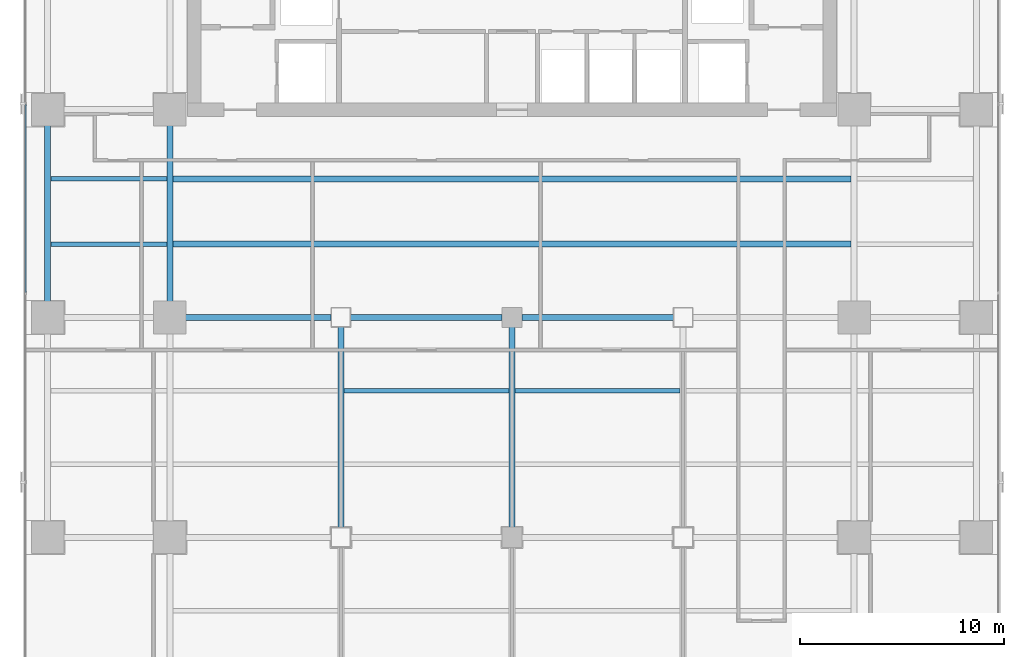
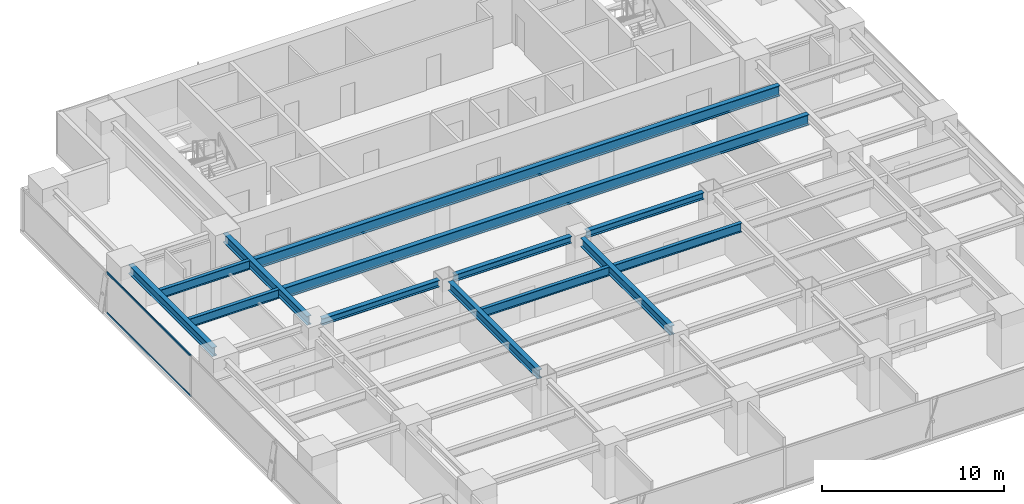
# One storey, part 8 of 28: 13 beams, 2 members, 1 element without a shape of its own.
"""IFC4 building model written with IfcOpenShell, lengths in metres."""

from ifc_helpers import new_model, si_unit, direction, frame, origin, origin_2d, place, context, subcontext, project, spatial, hollow_rectangle, i_section, extrude, source, transform, mapped, material, layer, layer_set, material_profile, profile_set, type_object, element, aggregate, save


model = new_model("IFC4")

# Units and contexts
model_context = context("Model", 3, precision=1e-05, world=origin(), true_north=direction((0.0, 1.0)))
body_context = subcontext(model_context, "Body", "Model", "MODEL_VIEW")
ifc_project = project(units=[si_unit("LENGTHUNIT", "METRE"), si_unit("AREAUNIT", "SQUARE_METRE"), si_unit("VOLUMEUNIT", "CUBIC_METRE"), si_unit("PLANEANGLEUNIT", "RADIAN"), si_unit("MASSUNIT", "GRAM", prefix="KILO")], contexts=[model_context])

# Site, building, storey
site_placement = place(None, origin())
site = spatial("IfcSite", under=ifc_project, at=site_placement, CompositionType="ELEMENT")
building_placement = place(site_placement, origin())
building = spatial("IfcBuilding", under=site, at=building_placement, Name="Sumidabori Civic Tower", CompositionType="ELEMENT")
storey_placement = place(building_placement, frame((0.0, 0.0, 153.199951171875)))
storey = spatial("IfcBuildingStorey", under=building, at=storey_placement, Name="L39", CompositionType="ELEMENT", Elevation=153.199951171875)

# Beams
ifc_material_1 = material(Name="Steel SN490", Category="steel")
ifc_material_profile_1 = material_profile(ifc_material_1, i_section(OverallWidth=0.300048828125, OverallDepth=0.60009765625, WebThickness=0.015380859375, FlangeThickness=0.030029296875, at=origin_2d()), Name="HE 600 B")
ifc_profile_set_1 = profile_set([ifc_material_profile_1], Name="Steel SN490")
beam_type_1 = type_object("IfcBeamType", Name="BM-GIRD-600", PredefinedType="BEAM", material=ifc_profile_set_1)
shared_shape_1 = source(origin(), body_context, "Body", "SweptSolid", [
    extrude(i_section(OverallWidth=0.300048828125, OverallDepth=0.60009765625, WebThickness=0.015380859375, FlangeThickness=0.030029296875, at=origin_2d()), origin(), (0.0, 0.0, 1.0), 9.840087890625),
])
for number, where, z_axis, x_axis, name in (
    (1, (-8.39990234375, -10.320068359375, 3.080078125), (0.0, 1.0, 0.0), (-1.0, 0.0, 0.0), "Primary Girder L39 GY-27"),
    (2, (0.0, -10.320068359375, 3.080078125), (0.0, 1.0, 0.0), (-1.0, 0.0, 0.0), "Primary Girder L39 GY-29"),
):
    element("IfcBeam", number, at=place(storey_placement, frame(where, z_axis=z_axis, x_axis=x_axis)), inside=storey, type_object=beam_type_1, Name=name, PredefinedType="BEAM", context=body_context, shape_type="MappedRepresentation", body=[
        mapped(shared_shape_1, transform((0.0, 0.0, 0.0), x_axis=(1.0, 0.0, 0.0), y_axis=(0.0, 1.0, 0.0), z_axis=(0.0, 0.0, 1.0), scale=1.0)),
    ])
shared_shape_2 = source(origin(), body_context, "Body", "SweptSolid", [
    extrude(i_section(OverallWidth=0.300048828125, OverallDepth=0.60009765625, WebThickness=0.015380859375, FlangeThickness=0.030029296875, at=origin_2d()), origin(), (0.0, 0.0, 1.0), 9.239990234375),
])
for number, where, z_axis, x_axis, name in (
    (3, (-22.800048828125, 0.47998046875, 3.080078125), (0.0, 1.0, 0.0), (-1.0, 0.0, 0.0), "Primary Girder L39 GY-20"),
    (4, (-16.800048828125, 0.47998046875, 3.080078125), (0.0, 1.0, 0.0), (-1.0, 0.0, 0.0), "Primary Girder L39 GY-24"),
):
    element("IfcBeam", number, at=place(storey_placement, frame(where, z_axis=z_axis, x_axis=x_axis)), inside=storey, type_object=beam_type_1, Name=name, PredefinedType="BEAM", context=body_context, shape_type="MappedRepresentation", body=[
        mapped(shared_shape_2, transform((0.0, 0.0, 0.0), x_axis=(1.0, 0.0, 0.0), y_axis=(0.0, 1.0, 0.0), z_axis=(0.0, 0.0, 1.0), scale=1.0)),
    ])
ifc_material_profile_2 = material_profile(ifc_material_1, i_section(OverallWidth=0.300048828125, OverallDepth=0.699951171875, WebThickness=0.01708984375, FlangeThickness=0.031982421875, at=origin_2d()), Name="HE 700 B")
ifc_profile_set_2 = profile_set([ifc_material_profile_2], Name="Steel SN490")
beam_type_2 = type_object("IfcBeamType", Name="BM-GIRD-700", PredefinedType="BEAM", material=ifc_profile_set_2)
shared_shape_3 = source(origin(), body_context, "Body", "SweptSolid", [
    extrude(i_section(OverallWidth=0.300048828125, OverallDepth=0.699951171875, WebThickness=0.01708984375, FlangeThickness=0.031982421875, at=origin_2d()), origin(), (0.0, 0.0, 1.0), 33.2998046875),
])
for number, where, z_axis, x_axis, name in (
    (5, (-16.64990234375, 3.60009765625, 3.030029296875), (1.0, 0.0, 0.0), (0.0, 1.0, 0.0), "North Bay Floor Beam L39 JSTN-47"),
    (6, (-16.64990234375, 6.800048828125, 3.030029296875), (1.0, 0.0, 0.0), (0.0, 1.0, 0.0), "North Bay Floor Beam L39 JSTN-48"),
):
    element("IfcBeam", number, at=place(storey_placement, frame(where, z_axis=z_axis, x_axis=x_axis)), inside=storey, type_object=beam_type_2, Name=name, PredefinedType="BEAM", context=body_context, shape_type="MappedRepresentation", body=[
        mapped(shared_shape_3, transform((0.0, 0.0, 0.0), x_axis=(1.0, 0.0, 0.0), y_axis=(0.0, 1.0, 0.0), z_axis=(0.0, 0.0, 1.0), scale=1.0)),
    ])
ifc_material_profile_3 = material_profile(ifc_material_1, i_section(OverallWidth=0.219970703125, OverallDepth=0.60009765625, WebThickness=0.011962890625, FlangeThickness=0.01904296875, at=origin_2d()), Name="IPE 600")
ifc_profile_set_3 = profile_set([ifc_material_profile_3], Name="Steel SN490")
beam_type_3 = type_object("IfcBeamType", Name="BM-JST-600", PredefinedType="JOIST", material=ifc_profile_set_3)
shared_shape_4 = source(origin(), body_context, "Body", "SweptSolid", [
    extrude(i_section(OverallWidth=0.219970703125, OverallDepth=0.60009765625, WebThickness=0.011962890625, FlangeThickness=0.01904296875, at=origin_2d()), origin(), (0.0, 0.0, 1.0), 5.699951171875),
])
for number, where, z_axis, x_axis, name in (
    (7, (-22.64990234375, 3.60009765625, 3.080078125), (1.0, 0.0, 0.0), (0.0, 1.0, 0.0), "Outer Bay Floor Joist L39 JSTO-43"),
    (8, (-22.64990234375, 6.800048828125, 3.080078125), (1.0, 0.0, 0.0), (0.0, 1.0, 0.0), "Outer Bay Floor Joist L39 JSTO-45"),
):
    element("IfcBeam", number, at=place(storey_placement, frame(where, z_axis=z_axis, x_axis=x_axis)), inside=storey, type_object=beam_type_3, Name=name, PredefinedType="JOIST", context=body_context, shape_type="MappedRepresentation", body=[
        mapped(shared_shape_4, transform((0.0, 0.0, 0.0), x_axis=(1.0, 0.0, 0.0), y_axis=(0.0, 1.0, 0.0), z_axis=(0.0, 0.0, 1.0), scale=1.0)),
    ])
shared_shape_5 = source(origin(), body_context, "Body", "SweptSolid", [
    extrude(i_section(OverallWidth=0.219970703125, OverallDepth=0.60009765625, WebThickness=0.011962890625, FlangeThickness=0.01904296875, at=origin_2d()), origin(), (0.0, 0.0, 1.0), 8.10009765625),
])
for number, where, z_axis, x_axis, name in (
    (9, (-8.25, -3.60009765625, 3.080078125), (1.0, 0.0, 0.0), (0.0, 1.0, 0.0), "South Bay Floor Joist L39 JSTS-58"),
    (10, (0.14990234375, -3.60009765625, 3.080078125), (1.0, 0.0, 0.0), (0.0, 1.0, 0.0), "South Bay Floor Joist L39 JSTS-59"),
):
    element("IfcBeam", number, at=place(storey_placement, frame(where, z_axis=z_axis, x_axis=x_axis)), inside=storey, type_object=beam_type_3, Name=name, PredefinedType="JOIST", context=body_context, shape_type="MappedRepresentation", body=[
        mapped(shared_shape_5, transform((0.0, 0.0, 0.0), x_axis=(1.0, 0.0, 0.0), y_axis=(0.0, 1.0, 0.0), z_axis=(0.0, 0.0, 1.0), scale=1.0)),
    ])
ifc_material_profile_4 = material_profile(ifc_material_1, i_section(OverallWidth=0.300048828125, OverallDepth=0.449951171875, WebThickness=0.013916015625, FlangeThickness=0.02587890625, at=origin_2d()), Name="HE 450 B")
ifc_profile_set_4 = profile_set([ifc_material_profile_4], Name="Steel SN490")
beam_type_4 = type_object("IfcBeamType", Name="BM-GIRD-450", PredefinedType="BEAM", material=ifc_profile_set_4)
shared_shape_6 = source(origin(), body_context, "Body", "SweptSolid", [
    extrude(i_section(OverallWidth=0.300048828125, OverallDepth=0.449951171875, WebThickness=0.013916015625, FlangeThickness=0.02587890625, at=origin_2d()), origin(), (0.0, 0.0, 1.0), 7.440185546875),
])
beam_placement = place(storey_placement, frame((-16.320068359375, 0.0, 3.155029296875), z_axis=(1.0, 0.0, 0.0), x_axis=(0.0, 1.0, 0.0)))
element("IfcBeam", 11, at=beam_placement, inside=storey, type_object=beam_type_4, Name="Primary Girder L39 GX-12", PredefinedType="BEAM", context=body_context, shape_type="MappedRepresentation", body=[
    mapped(shared_shape_6, transform((0.0, 0.0, 0.0), x_axis=(1.0, 0.0, 0.0), y_axis=(0.0, 1.0, 0.0), z_axis=(0.0, 0.0, 1.0), scale=1.0)),
])
shared_shape_7 = source(origin(), body_context, "Body", "SweptSolid", [
    extrude(i_section(OverallWidth=0.300048828125, OverallDepth=0.449951171875, WebThickness=0.013916015625, FlangeThickness=0.02587890625, at=origin_2d()), origin(), (0.0, 0.0, 1.0), 7.43994140625),
])
for number, where, z_axis, x_axis, name in (
    (12, (-7.919921875, 0.0, 3.155029296875), (1.0, 0.0, 0.0), (0.0, 1.0, 0.0), "Primary Girder L39 GX-13"),
    (13, (0.47998046875, 0.0, 3.155029296875), (1.0, 0.0, 0.0), (0.0, 1.0, 0.0), "Primary Girder L39 GX-14"),
):
    element("IfcBeam", number, at=place(storey_placement, frame(where, z_axis=z_axis, x_axis=x_axis)), inside=storey, type_object=beam_type_4, Name=name, PredefinedType="BEAM", context=body_context, shape_type="MappedRepresentation", body=[
        mapped(shared_shape_7, transform((0.0, 0.0, 0.0), x_axis=(1.0, 0.0, 0.0), y_axis=(0.0, 1.0, 0.0), z_axis=(0.0, 0.0, 1.0), scale=1.0)),
    ])

# Curtain wall, members
ifc_material_2 = material(Name="Anodised Bronze Aluminium AW-6063-T6", Category="aluminium")
ifc_layer = layer(ifc_material_2, 0.179931640625, Name="Anodised Bronze Aluminium AW-6063-T6")
ifc_layer_set = layer_set([ifc_layer], Name="Anodised Bronze Aluminium AW-6063-T6")
curtain_wall_type = type_object("IfcCurtainWallType", Name="CW-SYS-3", PredefinedType="NOTDEFINED", material=ifc_layer_set)
curtain_wall_placement = place(storey_placement, origin())
curtain_wall = element("IfcCurtainWall", 14, at=curtain_wall_placement, inside=storey, type_object=curtain_wall_type, Name="Curtain Wall CW:L39:R10", PredefinedType="NOTDEFINED")
ifc_material_profile_5 = material_profile(ifc_material_2, hollow_rectangle(XDim=0.06005859375, YDim=0.1298828125, WallThickness=0.0048828125, at=origin_2d()), Name="ALU TRANSOM 130x60")
ifc_profile_set_5 = profile_set([ifc_material_profile_5], Name="Anodised Bronze Aluminium AW-6063-T6")
member_type = type_object("IfcMemberType", Name="CW-TRN-130", PredefinedType="USERDEFINED", material=ifc_profile_set_5)
shared_shape_8 = source(origin(), body_context, "Body", "SweptSolid", [
    extrude(hollow_rectangle(XDim=0.06005859375, YDim=0.1298828125, WallThickness=0.0048828125, at=origin_2d()), origin(), (0.0, 0.0, 1.0), 9.219970703125),
])
member_1_placement = place(storey_placement, frame((-23.8798828125, 10.452392578125, 0.030029296875), z_axis=(0.0, -1.0, 0.0), x_axis=(1.0, 0.0, 0.0)))
member_1 = element("IfcMember", 15, at=member_1_placement, type_object=member_type, Name="CW-3 transom 2.1", ObjectType="TRANSOM", PredefinedType="USERDEFINED", context=body_context, shape_type="MappedRepresentation", body=[
    mapped(shared_shape_8, transform((0.0, 0.0, 0.0), x_axis=(1.0, 0.0, 0.0), y_axis=(0.0, 1.0, 0.0), z_axis=(0.0, 0.0, 1.0), scale=1.0)),
])
member_2_placement = place(storey_placement, frame((-23.8798828125, 10.452392578125, 2.72998046875), z_axis=(0.0, -1.0, 0.0), x_axis=(1.0, 0.0, 0.0)))
member_2 = element("IfcMember", 16, at=member_2_placement, type_object=member_type, Name="CW-3 transom 2.2", ObjectType="TRANSOM", PredefinedType="USERDEFINED", context=body_context, shape_type="MappedRepresentation", body=[
    mapped(shared_shape_8, transform((0.0, 0.0, 0.0), x_axis=(1.0, 0.0, 0.0), y_axis=(0.0, 1.0, 0.0), z_axis=(0.0, 0.0, 1.0), scale=1.0)),
])
aggregate(curtain_wall, [member_1, member_2])

save(model, "model.ifc")
